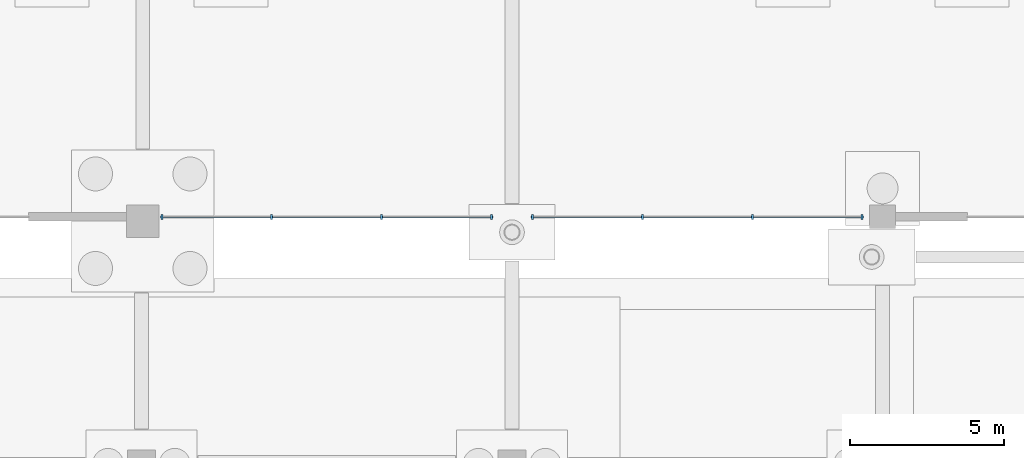
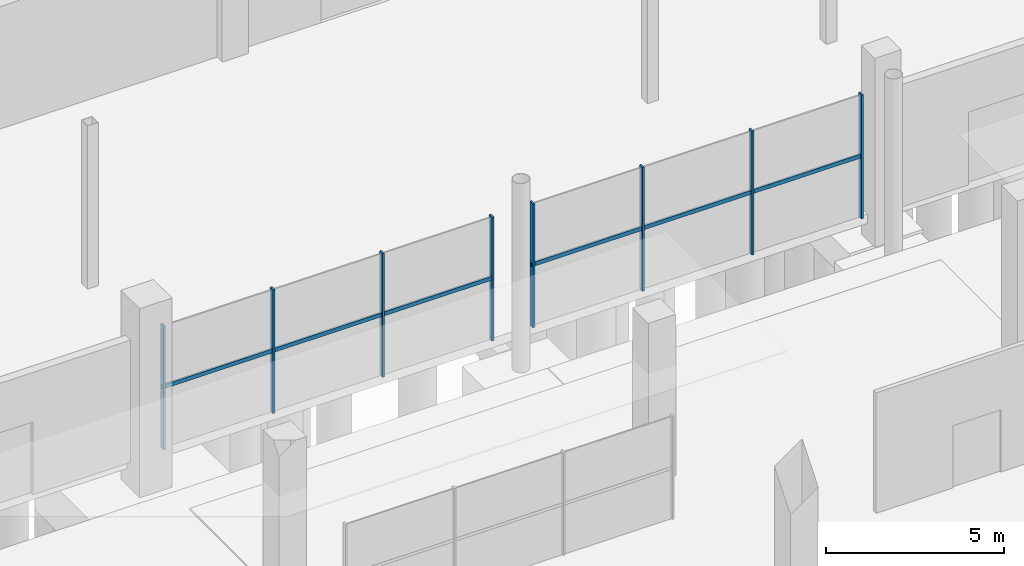
# One storey, part 45 of 98: 10 members, 2 elements without a shape of their own.
"""IFC4 building model written with IfcOpenShell, lengths in metres."""

from ifc_helpers import new_model, si_unit, derived_unit, direction, frame, origin, origin_2d, place, context, subcontext, project, spatial, rectangle, extrude, material, layer, layer_set, material_profile, profile_set, type_object, element, aggregate, save


model = new_model("IFC4")

# Units and contexts
model_context = context("Model", 3, precision=1e-05, world=origin(), true_north=direction((0.0, 1.0)))
body_context = subcontext(model_context, "Body", "Model", "MODEL_VIEW")
ifc_project = project(units=[si_unit("LENGTHUNIT", "METRE"), si_unit("AREAUNIT", "SQUARE_METRE"), si_unit("VOLUMEUNIT", "CUBIC_METRE"), si_unit("PLANEANGLEUNIT", "RADIAN"), si_unit("MASSUNIT", "GRAM", prefix="KILO"), si_unit("THERMODYNAMICTEMPERATUREUNIT", "KELVIN"), derived_unit("THERMALTRANSMITTANCEUNIT", [(si_unit("POWERUNIT", "WATT"), 1), (si_unit("AREAUNIT", "SQUARE_METRE"), -1), (si_unit("THERMODYNAMICTEMPERATUREUNIT", "KELVIN"), -1)])], contexts=[model_context])

# Site, building, storey
site_placement = place(None, origin())
site = spatial("IfcSite", under=ifc_project, at=site_placement, CompositionType="ELEMENT")
building_placement = place(site_placement, origin())
building = spatial("IfcBuilding", under=site, at=building_placement, Name="Haiyu Intermodal Mobility Hub", CompositionType="ELEMENT")
storey_placement = place(building_placement, origin())
storey = spatial("IfcBuildingStorey", under=building, at=storey_placement, Name="L00", CompositionType="ELEMENT", Elevation=0.0)

# Curtain wall, members
ifc_material_1 = material(Name="Low-e laminated insulating glass", Category="glass")
ifc_layer = layer(ifc_material_1, 0.25)
ifc_layer_set = layer_set([ifc_layer], Name="Low-e laminated insulating glass")
curtain_wall_type = type_object("IfcCurtainWallType", Name="CW-CW02", PredefinedType="NOTDEFINED", material=ifc_layer_set)
curtain_wall_1_placement = place(storey_placement, origin())
curtain_wall_1 = element("IfcCurtainWall", 1, at=curtain_wall_1_placement, inside=storey, type_object=curtain_wall_type, Name="Curtain Wall CW-V1N-L00-025", PredefinedType="NOTDEFINED")
ifc_material_2 = material(Name="Anodised aluminium 6063-T6", Category="aluminium")
ifc_material_profile_1 = material_profile(ifc_material_2, rectangle(XDim=0.06494140625, YDim=0.1650390625, at=origin_2d()), Name="ALU65x165")
ifc_profile_set_1 = profile_set([ifc_material_profile_1], Name="Anodised aluminium 6063-T6")
member_type_1 = type_object("IfcMemberType", Name="CWM-ML02", PredefinedType="MULLION", material=ifc_profile_set_1)
member_1_placement = place(storey_placement, frame((107.340087890625, 88.0, 0.0), z_axis=(0.0, 0.0, 1.0), x_axis=(1.0, 0.0, 0.0)))
member_1 = element("IfcMember", 2, at=member_1_placement, type_object=member_type_1, Name="CW-V1N-L00-025-ML01", PredefinedType="MULLION", context=body_context, shape_type="SweptSolid", body=[
    extrude(rectangle(XDim=0.06494140625, YDim=0.1650390625, at=origin_2d()), origin(), (0.0, 0.0, 1.0), 4.25),
])
member_2_placement = place(storey_placement, frame((103.780029296875, 88.0, 0.0), z_axis=(0.0, 0.0, 1.0), x_axis=(1.0, 0.0, 0.0)))
member_2 = element("IfcMember", 3, at=member_2_placement, type_object=member_type_1, Name="CW-V1N-L00-025-ML02", PredefinedType="MULLION", context=body_context, shape_type="SweptSolid", body=[
    extrude(rectangle(XDim=0.06494140625, YDim=0.1650390625, at=origin_2d()), origin(), (0.0, 0.0, 1.0), 4.25),
])
member_3_placement = place(storey_placement, frame((100.219970703125, 88.0, 0.0), z_axis=(0.0, 0.0, 1.0), x_axis=(1.0, 0.0, 0.0)))
member_3 = element("IfcMember", 4, at=member_3_placement, type_object=member_type_1, Name="CW-V1N-L00-025-ML03", PredefinedType="MULLION", context=body_context, shape_type="SweptSolid", body=[
    extrude(rectangle(XDim=0.06494140625, YDim=0.1650390625, at=origin_2d()), origin(), (0.0, 0.0, 1.0), 4.25),
])
member_4_placement = place(storey_placement, frame((96.659912109375, 88.0, 0.0), z_axis=(0.0, 0.0, 1.0), x_axis=(1.0, 0.0, 0.0)))
member_4 = element("IfcMember", 5, at=member_4_placement, type_object=member_type_1, Name="CW-V1N-L00-025-ML04", PredefinedType="MULLION", context=body_context, shape_type="SweptSolid", body=[
    extrude(rectangle(XDim=0.06494140625, YDim=0.1650390625, at=origin_2d()), origin(), (0.0, 0.0, 1.0), 4.25),
])

curtain_wall_2_placement = place(storey_placement, origin())
curtain_wall_2 = element("IfcCurtainWall", 6, at=curtain_wall_2_placement, inside=storey, type_object=curtain_wall_type, Name="Curtain Wall CW-V1N-L00-027", PredefinedType="NOTDEFINED")
member_5_placement = place(storey_placement, frame((119.340087890625, 88.0, 0.0), z_axis=(0.0, 0.0, 1.0), x_axis=(1.0, 0.0, 0.0)))
member_5 = element("IfcMember", 7, at=member_5_placement, type_object=member_type_1, Name="CW-V1N-L00-027-ML01", PredefinedType="MULLION", context=body_context, shape_type="SweptSolid", body=[
    extrude(rectangle(XDim=0.06494140625, YDim=0.1650390625, at=origin_2d()), origin(), (0.0, 0.0, 1.0), 4.25),
])
member_6_placement = place(storey_placement, frame((115.780029296875, 88.0, 0.0), z_axis=(0.0, 0.0, 1.0), x_axis=(1.0, 0.0, 0.0)))
member_6 = element("IfcMember", 8, at=member_6_placement, type_object=member_type_1, Name="CW-V1N-L00-027-ML02", PredefinedType="MULLION", context=body_context, shape_type="SweptSolid", body=[
    extrude(rectangle(XDim=0.06494140625, YDim=0.1650390625, at=origin_2d()), origin(), (0.0, 0.0, 1.0), 4.25),
])
member_7_placement = place(storey_placement, frame((112.219970703125, 88.0, 0.0), z_axis=(0.0, 0.0, 1.0), x_axis=(1.0, 0.0, 0.0)))
member_7 = element("IfcMember", 9, at=member_7_placement, type_object=member_type_1, Name="CW-V1N-L00-027-ML03", PredefinedType="MULLION", context=body_context, shape_type="SweptSolid", body=[
    extrude(rectangle(XDim=0.06494140625, YDim=0.1650390625, at=origin_2d()), origin(), (0.0, 0.0, 1.0), 4.25),
])
member_8_placement = place(storey_placement, frame((108.659912109375, 88.0, 0.0), z_axis=(0.0, 0.0, 1.0), x_axis=(1.0, 0.0, 0.0)))
member_8 = element("IfcMember", 10, at=member_8_placement, type_object=member_type_1, Name="CW-V1N-L00-027-ML04", PredefinedType="MULLION", context=body_context, shape_type="SweptSolid", body=[
    extrude(rectangle(XDim=0.06494140625, YDim=0.1650390625, at=origin_2d()), origin(), (0.0, 0.0, 1.0), 4.25),
])

# Member
ifc_material_profile_2 = material_profile(ifc_material_2, rectangle(XDim=0.06494140625, YDim=0.135009765625, at=origin_2d()), Name="ALU65x135")
ifc_profile_set_2 = profile_set([ifc_material_profile_2], Name="Anodised aluminium 6063-T6")
member_type_2 = type_object("IfcMemberType", Name="CWM-TR02", PredefinedType="USERDEFINED", material=ifc_profile_set_2)
member_9_placement = place(storey_placement, frame((107.3798828125, 88.0, 2.125), z_axis=(-1.0, 0.0, 0.0), x_axis=(0.0, -1.0, 0.0)))
member_9 = element("IfcMember", 11, at=member_9_placement, type_object=member_type_2, Name="CW-V1N-L00-025-TR01", ObjectType="TRANSOM", PredefinedType="USERDEFINED", context=body_context, shape_type="SweptSolid", body=[
    extrude(rectangle(XDim=0.06494140625, YDim=0.135009765625, at=origin_2d()), origin(), (0.0, 0.0, 1.0), 10.759765625),
])

aggregate(curtain_wall_1, [member_1, member_2, member_3, member_4, member_9])

member_10_placement = place(storey_placement, frame((119.3798828125, 88.0, 2.125), z_axis=(-1.0, 0.0, 0.0), x_axis=(0.0, -1.0, 0.0)))
member_10 = element("IfcMember", 12, at=member_10_placement, type_object=member_type_2, Name="CW-V1N-L00-027-TR01", ObjectType="TRANSOM", PredefinedType="USERDEFINED", context=body_context, shape_type="SweptSolid", body=[
    extrude(rectangle(XDim=0.06494140625, YDim=0.135009765625, at=origin_2d()), origin(), (0.0, 0.0, 1.0), 10.759765625),
])

aggregate(curtain_wall_2, [member_5, member_6, member_7, member_8, member_10])

save(model, "model.ifc")
